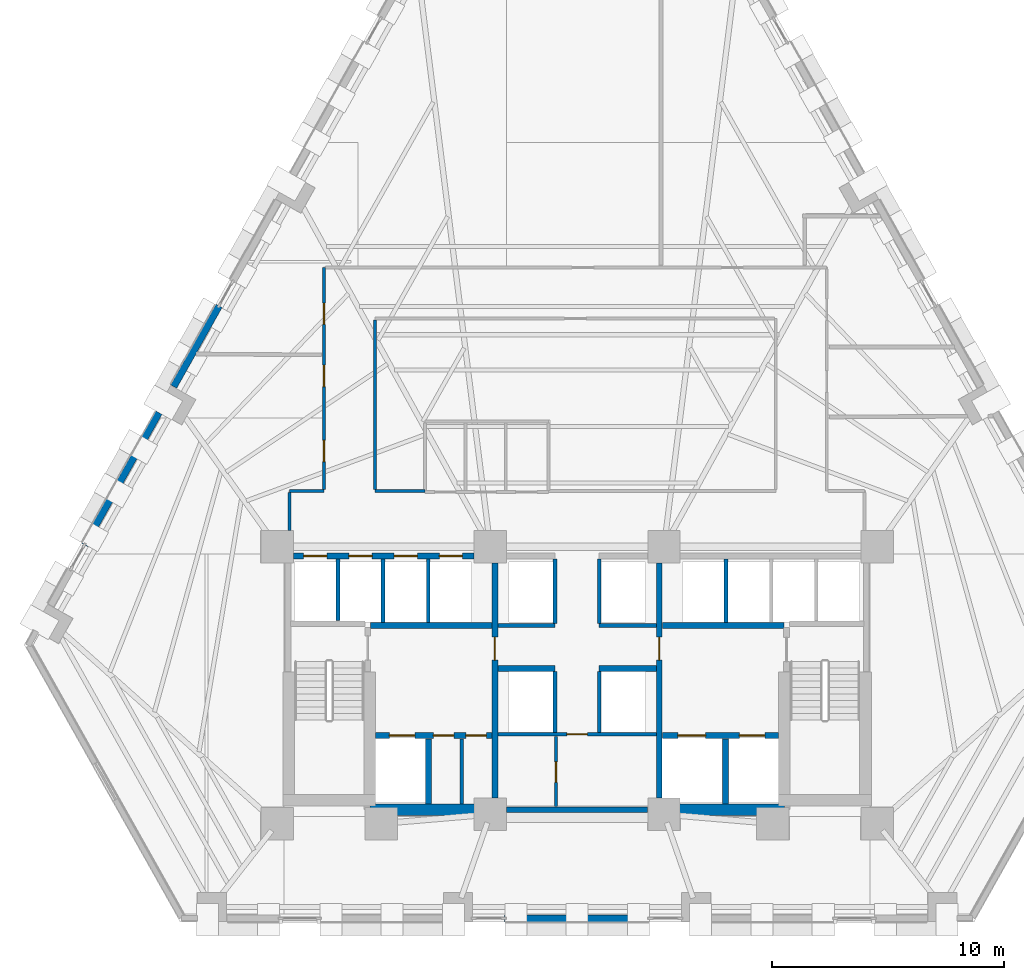
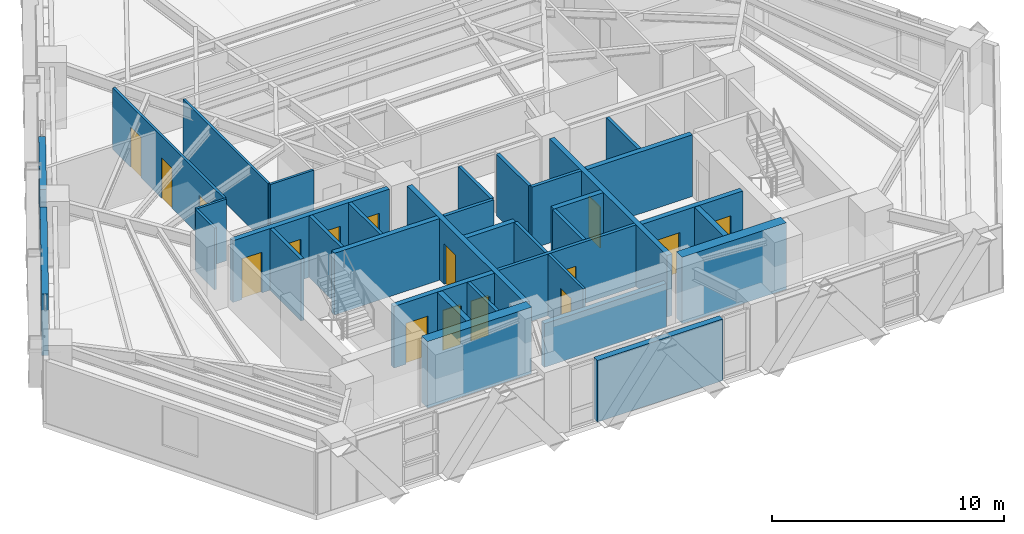
# One storey, part 7 of 13: 35 walls, 16 doors, 16 openings.
"""IFC4 building model written with IfcOpenShell, lengths in metres."""

from ifc_helpers import new_model, si_unit, direction, frame, frame_2d, origin, place, context, subcontext, project, spatial, rectangle, extrude, material, layer, layer_set, type_object, element, fill, save


model = new_model("IFC4")

# Units and contexts
model_context = context("Model", 3, precision=1e-05, world=origin(), true_north=direction((0.0, 1.0)))
body_context = subcontext(model_context, "Body", "Model", "MODEL_VIEW")
ifc_project = project(units=[si_unit("LENGTHUNIT", "METRE"), si_unit("AREAUNIT", "SQUARE_METRE"), si_unit("VOLUMEUNIT", "CUBIC_METRE"), si_unit("PLANEANGLEUNIT", "RADIAN"), si_unit("MASSUNIT", "GRAM", prefix="KILO")], contexts=[model_context])

# Site, building, storey
site_placement = place(None, origin())
site = spatial("IfcSite", under=ifc_project, at=site_placement, CompositionType="ELEMENT")
building_placement = place(site_placement, origin())
building = spatial("IfcBuilding", under=site, at=building_placement, Name="Quenlor Broadcast Tower", CompositionType="ELEMENT")
storey_placement = place(building_placement, frame((0.0, 0.0, 45.10009765625)))
storey = spatial("IfcBuildingStorey", under=building, at=storey_placement, Name="L11", CompositionType="ELEMENT", Elevation=45.10009765625)

# Walls
ifc_material_1 = material(Name="Concrete C65/80", Category="concrete")
ifc_layer_1 = layer(ifc_material_1, 0.5)
ifc_layer_set_1 = layer_set([ifc_layer_1], Name="Core Concrete C65/80 Shear Wall 500")
wall_type_1 = type_object("IfcWallType", Name="Core Concrete C65/80 Shear Wall 500", PredefinedType="SHEAR", material=ifc_layer_set_1)
for number, where, z_axis, x_axis, name in (
    (1, (-8.949951171875, -16.14990234375, 0.0), (0.0, 0.0, 1.0), (1.0, 0.0, 0.0), "L11 Core Shear Wall WS-W2"),
    (2, (3.75, -16.14990234375, 0.0), (0.0, 0.0, 1.0), (1.0, 0.0, 0.0), "L11 Core Shear Wall WS-E1"),
):
    element("IfcWall", number, at=place(storey_placement, frame(where, z_axis=z_axis, x_axis=x_axis)), inside=storey, type_object=wall_type_1, Name=name, PredefinedType="SHEAR", context=body_context, shape_type="SweptSolid", body=[
        extrude(rectangle(XDim=5.199951171875, YDim=0.5, at=frame_2d((2.60009765625, 0.0))), origin(), (0.0, 0.0, 1.0), 3.5),
    ])

# Wall, openings, doors
ifc_material_2 = material(Name="Concrete C40/50", Category="concrete")
ifc_layer_2 = layer(ifc_material_2, 0.25)
ifc_layer_set_2 = layer_set([ifc_layer_2], Name="Fire Rated Concrete C40/50 Core Wall 250")
wall_type_2 = type_object("IfcWallType", Name="Fire Rated Concrete C40/50 Core Wall 250", PredefinedType="PARTITIONING", material=ifc_layer_set_2)
wall_1_placement = place(storey_placement, frame((-8.697998046875, -12.949951171875, 0.0), z_axis=(0.0, 0.0, 1.0), x_axis=(1.0, 0.0, 0.0)))
wall_1 = element("IfcWall", 3, at=wall_1_placement, inside=storey, type_object=wall_type_2, Name="L11 Interior Wall CW-FFW-S", PredefinedType="PARTITIONING", context=body_context, shape_type="SweptSolid", body=[
    extrude(rectangle(XDim=5.01806640625, YDim=0.25, at=frame_2d((2.509033203125, 0.0))), origin(), (0.0, 0.0, 1.0), 3.25),
])
opening_1_placement = place(wall_1_placement, frame((0.597900390625, 0.0, 0.0)))
opening_1 = element("IfcOpeningElement", 4, at=opening_1_placement, cuts=wall_1, Name="Opening LD-FFL-1", PredefinedType="OPENING", context=body_context, shape_type="SweptSolid", body=[
    extrude(rectangle(XDim=1.10009765625, YDim=2.14990234375, at=frame_2d((0.550048828125, 1.074951171875))), frame((0.0, 0.135009765625, 0.0), z_axis=(0.0, -1.0, 0.0), x_axis=(1.0, 0.0, 0.0)), (0.0, 0.0, 1.0), 0.27001953125),
])
opening_2_placement = place(wall_1_placement, frame((2.498046875, 0.0, 0.0)))
opening_2 = element("IfcOpeningElement", 5, at=opening_2_placement, cuts=wall_1, Name="Opening TD-1", PredefinedType="OPENING", context=body_context, shape_type="SweptSolid", body=[
    extrude(rectangle(XDim=0.8798828125, YDim=2.10009765625, at=frame_2d((0.43994140625, 1.050048828125))), frame((0.0, 0.135009765625, 0.0), z_axis=(0.0, -1.0, 0.0), x_axis=(1.0, 0.0, 0.0)), (0.0, 0.0, 1.0), 0.27001953125),
])
opening_3_placement = place(wall_1_placement, frame((3.89794921875, 0.0, 0.0)))
opening_3 = element("IfcOpeningElement", 6, at=opening_3_placement, cuts=wall_1, Name="Opening TD-1", PredefinedType="OPENING", context=body_context, shape_type="SweptSolid", body=[
    extrude(rectangle(XDim=0.8798828125, YDim=2.10009765625, at=frame_2d((0.43994140625, 1.050048828125))), frame((0.0, 0.135009765625, 0.0), z_axis=(0.0, -1.0, 0.0), x_axis=(1.0, 0.0, 0.0)), (0.0, 0.0, 1.0), 0.27001953125),
])
ifc_material_3 = material(Name="Brushed Stainless Steel", Category="steel")
door_type_1 = type_object("IfcDoorType", Name="Emergency Lift Sliding Landing Door 1100x2150", OperationType="NOTDEFINED", PredefinedType="DOOR", material=ifc_material_3)
door_1_placement = place(opening_1_placement, origin())
door_1 = element("IfcDoor", 7, at=door_1_placement, inside=storey, type_object=door_type_1, Name="L11 Door LD-FFL-1", OperationType="SLIDING_TO_LEFT", OverallHeight=2.14990234375, OverallWidth=1.10009765625, PredefinedType="DOOR", context=body_context, shape_type="SweptSolid", body=[
    extrude(rectangle(XDim=1.10009765625, YDim=2.14990234375, at=frame_2d((0.550048828125, 1.074951171875))), frame((0.0, 0.02490234375, 0.0), z_axis=(0.0, -1.0, 0.0), x_axis=(1.0, 0.0, 0.0)), (0.0, 0.0, 1.0), 0.050048828125),
])
fill(opening_1, door_1)
ifc_material_4 = material(Name="Fire Rated Steel Access Panel", Category="steel")
door_type_2 = type_object("IfcDoorType", Name="Riser Shaft Rated Access Trapdoor 880x2100", OperationType="NOTDEFINED", PredefinedType="TRAPDOOR", material=ifc_material_4)
door_2_placement = place(opening_2_placement, origin())
door_2 = element("IfcDoor", 8, at=door_2_placement, inside=storey, type_object=door_type_2, Name="L11 Door DR-ELR", OperationType="SINGLE_SWING_LEFT", OverallHeight=2.10009765625, OverallWidth=0.8798828125, PredefinedType="TRAPDOOR", context=body_context, shape_type="SweptSolid", body=[
    extrude(rectangle(XDim=0.8798828125, YDim=2.10009765625, at=frame_2d((0.43994140625, 1.050048828125))), frame((0.0, 0.02490234375, 0.0), z_axis=(0.0, -1.0, 0.0), x_axis=(1.0, 0.0, 0.0)), (0.0, 0.0, 1.0), 0.050048828125),
])
fill(opening_2, door_2)
door_3_placement = place(opening_3_placement, origin())
door_3 = element("IfcDoor", 9, at=door_3_placement, inside=storey, type_object=door_type_2, Name="L11 Door DR-CMR", OperationType="SINGLE_SWING_RIGHT", OverallHeight=2.10009765625, OverallWidth=0.8798828125, PredefinedType="TRAPDOOR", context=body_context, shape_type="SweptSolid", body=[
    extrude(rectangle(XDim=0.8798828125, YDim=2.10009765625, at=frame_2d((0.43994140625, 1.050048828125))), frame((0.0, 0.02490234375, 0.0), z_axis=(0.0, -1.0, 0.0), x_axis=(1.0, 0.0, 0.0)), (0.0, 0.0, 1.0), 0.050048828125),
])
fill(opening_3, door_3)

wall_2_placement = place(storey_placement, frame((3.679931640625, -12.949951171875, 0.0), z_axis=(0.0, 0.0, 1.0), x_axis=(1.0, 0.0, 0.0)))
wall_2 = element("IfcWall", 10, at=wall_2_placement, inside=storey, type_object=wall_type_2, Name="L11 Interior Wall CW-FFE-S", PredefinedType="PARTITIONING", context=body_context, shape_type="SweptSolid", body=[
    extrude(rectangle(XDim=5.01806640625, YDim=0.25, at=frame_2d((2.509033203125, 0.0))), origin(), (0.0, 0.0, 1.0), 3.25),
])
opening_4_placement = place(wall_2_placement, frame((3.320068359375, 0.0, 0.0)))
opening_4 = element("IfcOpeningElement", 11, at=opening_4_placement, cuts=wall_2, Name="Opening LD-FFL-2", PredefinedType="OPENING", context=body_context, shape_type="SweptSolid", body=[
    extrude(rectangle(XDim=1.10009765625, YDim=2.14990234375, at=frame_2d((0.550048828125, 1.074951171875))), frame((0.0, 0.135009765625, 0.0), z_axis=(0.0, -1.0, 0.0), x_axis=(1.0, 0.0, 0.0)), (0.0, 0.0, 1.0), 0.27001953125),
])
opening_5_placement = place(wall_2_placement, frame((0.669921875, 0.0, 0.0)))
opening_5 = element("IfcOpeningElement", 12, at=opening_5_placement, cuts=wall_2, Name="Opening LD-SVL-1", PredefinedType="OPENING", context=body_context, shape_type="SweptSolid", body=[
    extrude(rectangle(XDim=1.199951171875, YDim=2.14990234375, at=frame_2d((0.60009765625, 1.074951171875))), frame((0.0, 0.135009765625, 0.0), z_axis=(0.0, -1.0, 0.0), x_axis=(1.0, 0.0, 0.0)), (0.0, 0.0, 1.0), 0.27001953125),
])
door_4_placement = place(opening_4_placement, origin())
door_4 = element("IfcDoor", 13, at=door_4_placement, inside=storey, type_object=door_type_1, Name="L11 Door LD-FFL-2", OperationType="SLIDING_TO_RIGHT", OverallHeight=2.14990234375, OverallWidth=1.10009765625, PredefinedType="DOOR", context=body_context, shape_type="SweptSolid", body=[
    extrude(rectangle(XDim=1.10009765625, YDim=2.14990234375, at=frame_2d((0.550048828125, 1.074951171875))), frame((0.0, 0.02490234375, 0.0), z_axis=(0.0, -1.0, 0.0), x_axis=(1.0, 0.0, 0.0)), (0.0, 0.0, 1.0), 0.050048828125),
])
fill(opening_4, door_4)
ifc_material_5 = material(Name="Brushed Stainless Steel", Category="steel")
door_type_3 = type_object("IfcDoorType", Name="Goods Lift Sliding Landing Door 1200x2150", OperationType="NOTDEFINED", PredefinedType="DOOR", material=ifc_material_5)
door_5_placement = place(opening_5_placement, origin())
door_5 = element("IfcDoor", 14, at=door_5_placement, inside=storey, type_object=door_type_3, Name="L11 Door LD-SVL-1", OperationType="SLIDING_TO_LEFT", OverallHeight=2.14990234375, OverallWidth=1.199951171875, PredefinedType="DOOR", context=body_context, shape_type="SweptSolid", body=[
    extrude(rectangle(XDim=1.199951171875, YDim=2.14990234375, at=frame_2d((0.60009765625, 1.074951171875))), frame((0.0, 0.02490234375, 0.0), z_axis=(0.0, -1.0, 0.0), x_axis=(1.0, 0.0, 0.0)), (0.0, 0.0, 1.0), 0.050048828125),
])
fill(opening_5, door_5)

# Walls
for number, where, z_axis, x_axis, name in (
    (15, (-6.419921875, -15.89794921875, 0.0), (0.0, 0.0, 1.0), (0.0, 1.0, 0.0), "L11 Interior Wall CW-FF1-E"),
    (16, (6.39990234375, -15.89794921875, 0.0), (0.0, 0.0, 1.0), (0.0, 1.0, 0.0), "L11 Interior Wall CW-SV1-E"),
):
    element("IfcWall", number, at=place(storey_placement, frame(where, z_axis=z_axis, x_axis=x_axis)), inside=storey, type_object=wall_type_2, Name=name, PredefinedType="PARTITIONING", context=body_context, shape_type="SweptSolid", body=[
        extrude(rectangle(XDim=2.807861328125, YDim=0.25, at=frame_2d((1.40380859375, 0.0))), origin(), (0.0, 0.0, 1.0), 3.25),
    ])
for number, where, z_axis, x_axis, name in (
    (17, (-8.919921875, -8.199951171875, 0.0), (0.0, 0.0, 1.0), (1.0, 0.0, 0.0), "L11 Interior Wall CW-FFW-N"),
    (18, (3.679931640625, -8.199951171875, 0.0), (0.0, 0.0, 1.0), (1.0, 0.0, 0.0), "L11 Interior Wall CW-FFE-N"),
):
    element("IfcWall", number, at=place(storey_placement, frame(where, z_axis=z_axis, x_axis=x_axis)), inside=storey, type_object=wall_type_2, Name=name, PredefinedType="PARTITIONING", context=body_context, shape_type="SweptSolid", body=[
        extrude(rectangle(XDim=5.239990234375, YDim=0.25, at=frame_2d((2.6201171875, 0.0))), origin(), (0.0, 0.0, 1.0), 3.25),
    ])

# Wall, opening, door
wall_3_placement = place(storey_placement, frame((-3.550048828125, -15.64794921875, 0.0), z_axis=(0.0, 0.0, 1.0), x_axis=(0.0, 1.0, 0.0)))
wall_3 = element("IfcWall", 19, at=wall_3_placement, inside=storey, type_object=wall_type_2, Name="L11 Interior Wall CW-FFW-E", PredefinedType="PARTITIONING", context=body_context, shape_type="SweptSolid", body=[
    extrude(rectangle(XDim=10.14599609375, YDim=0.25, at=frame_2d((5.072998046875, 0.0))), origin(), (0.0, 0.0, 1.0), 3.25),
])
opening_6_placement = place(wall_3_placement, frame((5.947998046875, 0.0, 0.0)))
opening_6 = element("IfcOpeningElement", 20, at=opening_6_placement, cuts=wall_3, Name="Opening FD-2", PredefinedType="OPENING", context=body_context, shape_type="SweptSolid", body=[
    extrude(rectangle(XDim=1.0, YDim=2.14990234375, at=frame_2d((0.5, 1.074951171875))), frame((0.0, 0.135009765625, 0.0), z_axis=(0.0, -1.0, 0.0), x_axis=(1.0, 0.0, 0.0)), (0.0, 0.0, 1.0), 0.27001953125),
])
ifc_material_6 = material(Name="Fire Rated Glazed Steel Door", Category="steel")
door_type_4 = type_object("IfcDoorType", Name="Firefighting Lobby Smoke Door 1000x2150", OperationType="NOTDEFINED", PredefinedType="DOOR", material=ifc_material_6)
door_6_placement = place(opening_6_placement, origin())
door_6 = element("IfcDoor", 21, at=door_6_placement, inside=storey, type_object=door_type_4, Name="L11 Door DR-FFLW", OperationType="SINGLE_SWING_RIGHT", OverallHeight=2.14990234375, OverallWidth=1.0, PredefinedType="DOOR", context=body_context, shape_type="SweptSolid", body=[
    extrude(rectangle(XDim=1.0, YDim=2.14990234375, at=frame_2d((0.5, 1.074951171875))), frame((0.0, 0.02490234375, 0.0), z_axis=(0.0, -1.0, 0.0), x_axis=(1.0, 0.0, 0.0)), (0.0, 0.0, 1.0), 0.050048828125),
])
fill(opening_6, door_6)

wall_4_placement = place(storey_placement, frame((3.550048828125, -15.64794921875, 0.0), z_axis=(0.0, 0.0, 1.0), x_axis=(0.0, 1.0, 0.0)))
wall_4 = element("IfcWall", 22, at=wall_4_placement, inside=storey, type_object=wall_type_2, Name="L11 Interior Wall CW-FFE-W", PredefinedType="PARTITIONING", context=body_context, shape_type="SweptSolid", body=[
    extrude(rectangle(XDim=10.14599609375, YDim=0.25, at=frame_2d((5.072998046875, 0.0))), origin(), (0.0, 0.0, 1.0), 3.25),
])
opening_7_placement = place(wall_4_placement, frame((5.947998046875, 0.0, 0.0)))
opening_7 = element("IfcOpeningElement", 23, at=opening_7_placement, cuts=wall_4, Name="Opening FD-2", PredefinedType="OPENING", context=body_context, shape_type="SweptSolid", body=[
    extrude(rectangle(XDim=1.0, YDim=2.14990234375, at=frame_2d((0.5, 1.074951171875))), frame((0.0, 0.135009765625, 0.0), z_axis=(0.0, -1.0, 0.0), x_axis=(1.0, 0.0, 0.0)), (0.0, 0.0, 1.0), 0.27001953125),
])
door_7_placement = place(opening_7_placement, origin())
door_7 = element("IfcDoor", 24, at=door_7_placement, inside=storey, type_object=door_type_4, Name="L11 Door DR-FFLE", OperationType="SINGLE_SWING_LEFT", OverallHeight=2.14990234375, OverallWidth=1.0, PredefinedType="DOOR", context=body_context, shape_type="SweptSolid", body=[
    extrude(rectangle(XDim=1.0, YDim=2.14990234375, at=frame_2d((0.5, 1.074951171875))), frame((0.0, 0.02490234375, 0.0), z_axis=(0.0, -1.0, 0.0), x_axis=(1.0, 0.0, 0.0)), (0.0, 0.0, 1.0), 0.050048828125),
])
fill(opening_7, door_7)

# Wall, openings, doors
wall_5_placement = place(storey_placement, frame((-12.248046875, -5.199951171875, 0.0), z_axis=(0.0, 0.0, 1.0), x_axis=(1.0, 0.0, 0.0)))
wall_5 = element("IfcWall", 25, at=wall_5_placement, inside=storey, type_object=wall_type_2, Name="L11 Interior Wall CW-N-W", PredefinedType="PARTITIONING", context=body_context, shape_type="SweptSolid", body=[
    extrude(rectangle(XDim=7.796142578125, YDim=0.25, at=frame_2d((3.89794921875, 0.0))), origin(), (0.0, 0.0, 1.0), 3.25),
])
opening_8_placement = place(wall_5_placement, frame((0.447998046875, 0.0, 0.0)))
opening_8 = element("IfcOpeningElement", 26, at=opening_8_placement, cuts=wall_5, Name="Opening LD-PL-L1", PredefinedType="OPENING", context=body_context, shape_type="SweptSolid", body=[
    extrude(rectangle(XDim=1.0, YDim=2.14990234375, at=frame_2d((0.5, 1.074951171875))), frame((0.0, 0.135009765625, 0.0), z_axis=(0.0, -1.0, 0.0), x_axis=(1.0, 0.0, 0.0)), (0.0, 0.0, 1.0), 0.27001953125),
])
opening_9_placement = place(wall_5_placement, frame((2.39794921875, 0.0, 0.0)))
opening_9 = element("IfcOpeningElement", 27, at=opening_9_placement, cuts=wall_5, Name="Opening LD-PL-L2", PredefinedType="OPENING", context=body_context, shape_type="SweptSolid", body=[
    extrude(rectangle(XDim=1.0, YDim=2.14990234375, at=frame_2d((0.5, 1.074951171875))), frame((0.0, 0.135009765625, 0.0), z_axis=(0.0, -1.0, 0.0), x_axis=(1.0, 0.0, 0.0)), (0.0, 0.0, 1.0), 0.27001953125),
])
opening_10_placement = place(wall_5_placement, frame((4.347900390625, 0.0, 0.0)))
opening_10 = element("IfcOpeningElement", 28, at=opening_10_placement, cuts=wall_5, Name="Opening LD-PL-L3", PredefinedType="OPENING", context=body_context, shape_type="SweptSolid", body=[
    extrude(rectangle(XDim=1.0, YDim=2.14990234375, at=frame_2d((0.5, 1.074951171875))), frame((0.0, 0.135009765625, 0.0), z_axis=(0.0, -1.0, 0.0), x_axis=(1.0, 0.0, 0.0)), (0.0, 0.0, 1.0), 0.27001953125),
])
opening_11_placement = place(wall_5_placement, frame((6.298095703125, 0.0, 0.0)))
opening_11 = element("IfcOpeningElement", 29, at=opening_11_placement, cuts=wall_5, Name="Opening LD-PL-L4", PredefinedType="OPENING", context=body_context, shape_type="SweptSolid", body=[
    extrude(rectangle(XDim=1.0, YDim=2.14990234375, at=frame_2d((0.5, 1.074951171875))), frame((0.0, 0.135009765625, 0.0), z_axis=(0.0, -1.0, 0.0), x_axis=(1.0, 0.0, 0.0)), (0.0, 0.0, 1.0), 0.27001953125),
])
ifc_material_7 = material(Name="Brushed Stainless Steel", Category="steel")
door_type_5 = type_object("IfcDoorType", Name="Passenger Lift Sliding Landing Door 1000x2150", OperationType="NOTDEFINED", PredefinedType="DOOR", material=ifc_material_7)
door_8_placement = place(opening_8_placement, origin())
door_8 = element("IfcDoor", 30, at=door_8_placement, inside=storey, type_object=door_type_5, Name="L11 Door LD-PL-L1", OperationType="SLIDING_TO_LEFT", OverallHeight=2.14990234375, OverallWidth=1.0, PredefinedType="DOOR", context=body_context, shape_type="SweptSolid", body=[
    extrude(rectangle(XDim=1.0, YDim=2.14990234375, at=frame_2d((0.5, 1.074951171875))), frame((0.0, 0.02490234375, 0.0), z_axis=(0.0, -1.0, 0.0), x_axis=(1.0, 0.0, 0.0)), (0.0, 0.0, 1.0), 0.050048828125),
])
fill(opening_8, door_8)
door_9_placement = place(opening_9_placement, origin())
door_9 = element("IfcDoor", 31, at=door_9_placement, inside=storey, type_object=door_type_5, Name="L11 Door LD-PL-L2", OperationType="SLIDING_TO_LEFT", OverallHeight=2.14990234375, OverallWidth=1.0, PredefinedType="DOOR", context=body_context, shape_type="SweptSolid", body=[
    extrude(rectangle(XDim=1.0, YDim=2.14990234375, at=frame_2d((0.5, 1.074951171875))), frame((0.0, 0.02490234375, 0.0), z_axis=(0.0, -1.0, 0.0), x_axis=(1.0, 0.0, 0.0)), (0.0, 0.0, 1.0), 0.050048828125),
])
fill(opening_9, door_9)
door_10_placement = place(opening_10_placement, origin())
door_10 = element("IfcDoor", 32, at=door_10_placement, inside=storey, type_object=door_type_5, Name="L11 Door LD-PL-L3", OperationType="SLIDING_TO_LEFT", OverallHeight=2.14990234375, OverallWidth=1.0, PredefinedType="DOOR", context=body_context, shape_type="SweptSolid", body=[
    extrude(rectangle(XDim=1.0, YDim=2.14990234375, at=frame_2d((0.5, 1.074951171875))), frame((0.0, 0.02490234375, 0.0), z_axis=(0.0, -1.0, 0.0), x_axis=(1.0, 0.0, 0.0)), (0.0, 0.0, 1.0), 0.050048828125),
])
fill(opening_10, door_10)
door_11_placement = place(opening_11_placement, origin())
door_11 = element("IfcDoor", 33, at=door_11_placement, inside=storey, type_object=door_type_5, Name="L11 Door LD-PL-L4", OperationType="SLIDING_TO_LEFT", OverallHeight=2.14990234375, OverallWidth=1.0, PredefinedType="DOOR", context=body_context, shape_type="SweptSolid", body=[
    extrude(rectangle(XDim=1.0, YDim=2.14990234375, at=frame_2d((0.5, 1.074951171875))), frame((0.0, 0.02490234375, 0.0), z_axis=(0.0, -1.0, 0.0), x_axis=(1.0, 0.0, 0.0)), (0.0, 0.0, 1.0), 0.050048828125),
])
fill(opening_11, door_11)

# Walls
wall_6_placement = place(storey_placement, frame((-3.048095703125, -16.14990234375, 0.0), z_axis=(0.0, 0.0, 1.0), x_axis=(1.0, 0.0, 0.0)))
element("IfcWall", 34, at=wall_6_placement, inside=storey, type_object=wall_type_2, Name="L11 Interior Wall CW-MS-S", PredefinedType="PARTITIONING", context=body_context, shape_type="SweptSolid", body=[
    extrude(rectangle(XDim=6.09619140625, YDim=0.25, at=frame_2d((3.048095703125, 0.0))), origin(), (0.0, 0.0, 1.0), 2.2998046875),
])
for number, where, z_axis, x_axis, name in (
    (35, (-3.419921875, -10.050048828125, 0.0), (0.0, 0.0, 1.0), (1.0, 0.0, 0.0), "L11 Interior Wall CW-MS-N1"),
    (36, (0.949951171875, -10.050048828125, 0.0), (0.0, 0.0, 1.0), (1.0, 0.0, 0.0), "L11 Interior Wall CW-MS-N2"),
):
    element("IfcWall", number, at=place(storey_placement, frame(where, z_axis=z_axis, x_axis=x_axis)), inside=storey, type_object=wall_type_2, Name=name, PredefinedType="PARTITIONING", context=body_context, shape_type="SweptSolid", body=[
        extrude(rectangle(XDim=2.469970703125, YDim=0.25, at=frame_2d((1.23486328125, 0.0))), origin(), (0.0, 0.0, 1.0), 3.25),
    ])
ifc_material_8 = material(Name="Gypsum Fireboard Partition", Category="other")
ifc_layer_3 = layer(ifc_material_8, 0.159912109375)
ifc_layer_set_3 = layer_set([ifc_layer_3], Name="Fire Rated Shaft and Corridor Partition 160")
wall_type_3 = type_object("IfcWallType", Name="Fire Rated Shaft and Corridor Partition 160", PredefinedType="PARTITIONING", material=ifc_layer_set_3)
wall_7_placement = place(storey_placement, frame((-4.97998046875, -15.89794921875, 0.0), z_axis=(0.0, 0.0, 1.0), x_axis=(0.0, 1.0, 0.0)))
element("IfcWall", 37, at=wall_7_placement, inside=storey, type_object=wall_type_3, Name="L11 Interior Wall CW-ELR-E", PredefinedType="PARTITIONING", context=body_context, shape_type="SweptSolid", body=[
    extrude(rectangle(XDim=2.807861328125, YDim=0.159912109375, at=frame_2d((1.40380859375, 0.0))), origin(), (0.0, 0.0, 1.0), 3.25),
])
wall_8_placement = place(storey_placement, frame((-10.324951171875, -7.992919921875, 0.0), z_axis=(0.0, 0.0, 1.0), x_axis=(0.0, 1.0, 0.0)))
element("IfcWall", 38, at=wall_8_placement, inside=storey, type_object=wall_type_3, Name="L11 Interior Wall CW-PLL-D1", PredefinedType="PARTITIONING", context=body_context, shape_type="SweptSolid", body=[
    extrude(rectangle(XDim=2.65283203125, YDim=0.159912109375, at=frame_2d((1.326416015625, 0.0))), origin(), (0.0, 0.0, 1.0), 3.25),
])
for number, where, z_axis, x_axis, name in (
    (39, (-8.375, -8.072998046875, 0.0), (0.0, 0.0, 1.0), (0.0, 1.0, 0.0), "L11 Interior Wall CW-PLL-D2"),
    (40, (-6.425048828125, -8.072998046875, 0.0), (0.0, 0.0, 1.0), (0.0, 1.0, 0.0), "L11 Interior Wall CW-PLL-D3"),
    (41, (6.425048828125, -8.072998046875, 0.0), (0.0, 0.0, 1.0), (0.0, 1.0, 0.0), "L11 Interior Wall CW-PLH-D1"),
):
    element("IfcWall", number, at=place(storey_placement, frame(where, z_axis=z_axis, x_axis=x_axis)), inside=storey, type_object=wall_type_3, Name=name, PredefinedType="PARTITIONING", context=body_context, shape_type="SweptSolid", body=[
        extrude(rectangle(XDim=2.73291015625, YDim=0.159912109375, at=frame_2d((1.366455078125, 0.0))), origin(), (0.0, 0.0, 1.0), 3.25),
    ])
for number, where, z_axis, x_axis, name in (
    (42, (-0.949951171875, -8.1201171875, 0.0), (0.0, 0.0, 1.0), (0.0, 1.0, 0.0), "L11 Interior Wall CW-CCRP-W"),
    (43, (0.949951171875, -8.1201171875, 0.0), (0.0, 0.0, 1.0), (0.0, 1.0, 0.0), "L11 Interior Wall CW-CCRP-E"),
):
    element("IfcWall", number, at=place(storey_placement, frame(where, z_axis=z_axis, x_axis=x_axis)), inside=storey, type_object=wall_type_3, Name=name, PredefinedType="PARTITIONING", context=body_context, shape_type="SweptSolid", body=[
        extrude(rectangle(XDim=2.780029296875, YDim=0.159912109375, at=frame_2d((1.39013671875, 0.0))), origin(), (0.0, 0.0, 1.0), 3.25),
    ])
for number, where, z_axis, x_axis, name in (
    (44, (-3.419921875, -8.199951171875, 0.0), (0.0, 0.0, 1.0), (1.0, 0.0, 0.0), "L11 Interior Wall CW-M-BACK1"),
    (45, (0.949951171875, -8.199951171875, 0.0), (0.0, 0.0, 1.0), (1.0, 0.0, 0.0), "L11 Interior Wall CW-M-BACK2"),
):
    element("IfcWall", number, at=place(storey_placement, frame(where, z_axis=z_axis, x_axis=x_axis)), inside=storey, type_object=wall_type_3, Name=name, PredefinedType="PARTITIONING", context=body_context, shape_type="SweptSolid", body=[
        extrude(rectangle(XDim=2.469970703125, YDim=0.159912109375, at=frame_2d((1.23486328125, 0.0))), origin(), (0.0, 0.0, 1.0), 3.25),
    ])

# Wall, opening, door
wall_9_placement = place(storey_placement, frame((-3.419921875, -12.89990234375, 0.0), z_axis=(0.0, 0.0, 1.0), x_axis=(1.0, 0.0, 0.0)))
wall_9 = element("IfcWall", 46, at=wall_9_placement, inside=storey, type_object=wall_type_3, Name="L11 Interior Wall CW-MS-B", PredefinedType="PARTITIONING", context=body_context, shape_type="SweptSolid", body=[
    extrude(rectangle(XDim=6.83984375, YDim=0.159912109375, at=frame_2d((3.419921875, 0.0))), origin(), (0.0, 0.0, 1.0), 3.25),
])
opening_12_placement = place(wall_9_placement, frame((2.97998046875, 0.0, 0.0)))
opening_12 = element("IfcOpeningElement", 47, at=opening_12_placement, cuts=wall_9, Name="Opening ID-4", PredefinedType="OPENING", context=body_context, shape_type="SweptSolid", body=[
    extrude(rectangle(XDim=0.8798828125, YDim=2.1201171875, at=frame_2d((0.43994140625, 1.06005859375))), frame((0.0, 0.08984375, 0.0), z_axis=(0.0, -1.0, 0.0), x_axis=(1.0, 0.0, 0.0)), (0.0, 0.0, 1.0), 0.179931640625),
])
ifc_material_9 = material(Name="Solid Core Timber Oak", Category="wood")
door_type_6 = type_object("IfcDoorType", Name="Service Closet Timber Door 880x2120", OperationType="NOTDEFINED", PredefinedType="DOOR", material=ifc_material_9)
door_12_placement = place(opening_12_placement, origin())
door_12 = element("IfcDoor", 48, at=door_12_placement, inside=storey, type_object=door_type_6, Name="L11 Door DR-CSV0", OperationType="SINGLE_SWING_LEFT", OverallHeight=2.1201171875, OverallWidth=0.8798828125, PredefinedType="DOOR", context=body_context, shape_type="SweptSolid", body=[
    extrude(rectangle(XDim=0.8798828125, YDim=2.1201171875, at=frame_2d((0.43994140625, 1.06005859375))), frame((0.0, 0.02490234375, 0.0), z_axis=(0.0, -1.0, 0.0), x_axis=(1.0, 0.0, 0.0)), (0.0, 0.0, 1.0), 0.050048828125),
])
fill(opening_12, door_12)

# Walls
for number, where, z_axis, x_axis, name in (
    (49, (-0.949951171875, -12.818115234375, 0.0), (0.0, 0.0, 1.0), (0.0, 1.0, 0.0), "L11 Interior Wall CW-MS-W"),
    (50, (0.949951171875, -12.818115234375, 0.0), (0.0, 0.0, 1.0), (0.0, 1.0, 0.0), "L11 Interior Wall CW-MS-E"),
):
    element("IfcWall", number, at=place(storey_placement, frame(where, z_axis=z_axis, x_axis=x_axis)), inside=storey, type_object=wall_type_3, Name=name, PredefinedType="PARTITIONING", context=body_context, shape_type="SweptSolid", body=[
        extrude(rectangle(XDim=2.63818359375, YDim=0.159912109375, at=frame_2d((1.319091796875, 0.0))), origin(), (0.0, 0.0, 1.0), 3.25),
    ])

# Wall, opening, door
ifc_material_10 = material(Name="Gypsum Plasterboard Partition", Category="other")
ifc_layer_4 = layer(ifc_material_10, 0.1201171875)
ifc_layer_set_4 = layer_set([ifc_layer_4], Name="Standard Office Partition 120")
wall_type_4 = type_object("IfcWallType", Name="Standard Office Partition 120", PredefinedType="PARTITIONING", material=ifc_layer_set_4)
wall_10_placement = place(storey_placement, frame((-0.909912109375, -16.02001953125, 0.0), z_axis=(0.0, 0.0, 1.0), x_axis=(0.0, 1.0, 0.0)))
wall_10 = element("IfcWall", 51, at=wall_10_placement, inside=storey, type_object=wall_type_4, Name="L11 Interior Wall CW-CSV-W1", PredefinedType="PARTITIONING", context=body_context, shape_type="SweptSolid", body=[
    extrude(rectangle(XDim=3.0380859375, YDim=0.1201171875, at=frame_2d((1.51904296875, 0.0))), origin(), (0.0, 0.0, 1.0), 3.25),
])
opening_13_placement = place(wall_10_placement, frame((1.050048828125, 0.0, 0.0)))
opening_13 = element("IfcOpeningElement", 52, at=opening_13_placement, cuts=wall_10, Name="Opening ID-4", PredefinedType="OPENING", context=body_context, shape_type="SweptSolid", body=[
    extrude(rectangle(XDim=0.8798828125, YDim=2.1201171875, at=frame_2d((0.43994140625, 1.06005859375))), frame((0.0, 0.070068359375, 0.0), z_axis=(0.0, -1.0, 0.0), x_axis=(1.0, 0.0, 0.0)), (0.0, 0.0, 1.0), 0.14013671875),
])
door_13_placement = place(opening_13_placement, origin())
door_13 = element("IfcDoor", 53, at=door_13_placement, inside=storey, type_object=door_type_6, Name="L11 Door DR-CSV1", OperationType="SINGLE_SWING_LEFT", OverallHeight=2.1201171875, OverallWidth=0.8798828125, PredefinedType="DOOR", context=body_context, shape_type="SweptSolid", body=[
    extrude(rectangle(XDim=0.8798828125, YDim=2.1201171875, at=frame_2d((0.43994140625, 1.06005859375))), frame((0.0, 0.02490234375, 0.0), z_axis=(0.0, -1.0, 0.0), x_axis=(1.0, 0.0, 0.0)), (0.0, 0.0, 1.0), 0.050048828125),
])
fill(opening_13, door_13)

# Wall
wall_11_placement = place(storey_placement, frame((-12.409912109375, -2.39990234375, 0.0), z_axis=(0.0, 0.0, 1.0), x_axis=(1.0, 0.0, 0.0)))
element("IfcWall", 54, at=wall_11_placement, inside=storey, type_object=wall_type_4, Name="L11 Interior Wall PW-CR-01", PredefinedType="PARTITIONING", context=body_context, shape_type="SweptSolid", body=[
    extrude(rectangle(XDim=1.48486328125, YDim=0.1201171875, at=frame_2d((0.742431640625, 0.0))), origin(), (0.0, 0.0, 1.0), 3.25),
])

# Wall, openings, doors
wall_12_placement = place(storey_placement, frame((-10.925048828125, -2.337890625, 0.0), z_axis=(0.0, 0.0, 1.0), x_axis=(0.0, 1.0, 0.0)))
wall_12 = element("IfcWall", 55, at=wall_12_placement, inside=storey, type_object=wall_type_4, Name="L11 Interior Wall PW-CR-02", PredefinedType="PARTITIONING", context=body_context, shape_type="SweptSolid", body=[
    extrude(rectangle(XDim=9.587890625, YDim=0.1201171875, at=frame_2d((4.7939453125, 0.0))), origin(), (0.0, 0.0, 1.0), 3.25),
])
opening_14_placement = place(wall_12_placement, frame((7.134033203125, 0.0, 0.0)))
opening_14 = element("IfcOpeningElement", 56, at=opening_14_placement, cuts=wall_12, Name="Opening ID-1", PredefinedType="OPENING", context=body_context, shape_type="SweptSolid", body=[
    extrude(rectangle(XDim=0.919921875, YDim=2.1201171875, at=frame_2d((0.4599609375, 1.06005859375))), frame((0.0, 0.070068359375, 0.0), z_axis=(0.0, -1.0, 0.0), x_axis=(1.0, 0.0, 0.0)), (0.0, 0.0, 1.0), 0.14013671875),
])
opening_15_placement = place(wall_12_placement, frame((4.452880859375, 0.0, 0.0)))
opening_15 = element("IfcOpeningElement", 57, at=opening_15_placement, cuts=wall_12, Name="Opening ID-1", PredefinedType="OPENING", context=body_context, shape_type="SweptSolid", body=[
    extrude(rectangle(XDim=0.919921875, YDim=2.1201171875, at=frame_2d((0.4599609375, 1.06005859375))), frame((0.0, 0.070068359375, 0.0), z_axis=(0.0, -1.0, 0.0), x_axis=(1.0, 0.0, 0.0)), (0.0, 0.0, 1.0), 0.14013671875),
])
opening_16_placement = place(wall_12_placement, frame((1.20703125, 0.0, 0.0)))
opening_16 = element("IfcOpeningElement", 58, at=opening_16_placement, cuts=wall_12, Name="Opening ID-1", PredefinedType="OPENING", context=body_context, shape_type="SweptSolid", body=[
    extrude(rectangle(XDim=0.919921875, YDim=2.1201171875, at=frame_2d((0.4599609375, 1.06005859375))), frame((0.0, 0.070068359375, 0.0), z_axis=(0.0, -1.0, 0.0), x_axis=(1.0, 0.0, 0.0)), (0.0, 0.0, 1.0), 0.14013671875),
])
ifc_material_11 = material(Name="Solid Core Timber Oak", Category="wood")
door_type_7 = type_object("IfcDoorType", Name="Single Leaf Timber Office Door 920x2120", OperationType="NOTDEFINED", PredefinedType="DOOR", material=ifc_material_11)
door_14_placement = place(opening_14_placement, origin())
door_14 = element("IfcDoor", 59, at=door_14_placement, inside=storey, type_object=door_type_7, Name="L11 Door DR-RM03", OperationType="SINGLE_SWING_RIGHT", OverallHeight=2.1201171875, OverallWidth=0.919921875, PredefinedType="DOOR", context=body_context, shape_type="SweptSolid", body=[
    extrude(rectangle(XDim=0.919921875, YDim=2.1201171875, at=frame_2d((0.4599609375, 1.06005859375))), frame((0.0, 0.02490234375, 0.0), z_axis=(0.0, -1.0, 0.0), x_axis=(1.0, 0.0, 0.0)), (0.0, 0.0, 1.0), 0.050048828125),
])
fill(opening_14, door_14)
door_15_placement = place(opening_15_placement, origin())
door_15 = element("IfcDoor", 60, at=door_15_placement, inside=storey, type_object=door_type_7, Name="L11 Door DR-RM05", OperationType="SINGLE_SWING_RIGHT", OverallHeight=2.1201171875, OverallWidth=0.919921875, PredefinedType="DOOR", context=body_context, shape_type="SweptSolid", body=[
    extrude(rectangle(XDim=0.919921875, YDim=2.1201171875, at=frame_2d((0.4599609375, 1.06005859375))), frame((0.0, 0.02490234375, 0.0), z_axis=(0.0, -1.0, 0.0), x_axis=(1.0, 0.0, 0.0)), (0.0, 0.0, 1.0), 0.050048828125),
])
fill(opening_15, door_15)
door_16_placement = place(opening_16_placement, origin())
door_16 = element("IfcDoor", 61, at=door_16_placement, inside=storey, type_object=door_type_7, Name="L11 Door DR-RM08", OperationType="SINGLE_SWING_LEFT", OverallHeight=2.1201171875, OverallWidth=0.919921875, PredefinedType="DOOR", context=body_context, shape_type="SweptSolid", body=[
    extrude(rectangle(XDim=0.919921875, YDim=2.1201171875, at=frame_2d((0.4599609375, 1.06005859375))), frame((0.0, 0.02490234375, 0.0), z_axis=(0.0, -1.0, 0.0), x_axis=(1.0, 0.0, 0.0)), (0.0, 0.0, 1.0), 0.050048828125),
])
fill(opening_16, door_16)

# Walls
wall_13_placement = place(storey_placement, frame((-12.409912109375, -4.097900390625, 0.0), z_axis=(0.0, 0.0, 1.0), x_axis=(0.0, 1.0, 0.0)))
element("IfcWall", 62, at=wall_13_placement, inside=storey, type_object=wall_type_4, Name="L11 Interior Wall PW-CR-07", PredefinedType="PARTITIONING", context=body_context, shape_type="SweptSolid", body=[
    extrude(rectangle(XDim=1.635986328125, YDim=0.1201171875, at=frame_2d((0.81787109375, 0.0))), origin(), (0.0, 0.0, 1.0), 3.25),
])
wall_14_placement = place(storey_placement, frame((-8.72509765625, -2.39990234375, 0.0), z_axis=(0.0, 0.0, 1.0), x_axis=(1.0, 0.0, 0.0)))
element("IfcWall", 63, at=wall_14_placement, inside=storey, type_object=wall_type_4, Name="L11 Interior Wall PW-CR-08", PredefinedType="PARTITIONING", context=body_context, shape_type="SweptSolid", body=[
    extrude(rectangle(XDim=2.1630859375, YDim=0.1201171875, at=frame_2d((1.08154296875, 0.0))), origin(), (0.0, 0.0, 1.0), 3.25),
])
wall_15_placement = place(storey_placement, frame((-8.72509765625, 4.988037109375, 0.0), z_axis=(0.0, 0.0, 1.0), x_axis=(0.0, -1.0, 0.0)))
element("IfcWall", 64, at=wall_15_placement, inside=storey, type_object=wall_type_4, Name="L11 Interior Wall PW-CR-11", PredefinedType="PARTITIONING", context=body_context, shape_type="SweptSolid", body=[
    extrude(rectangle(XDim=7.325927734375, YDim=0.1201171875, at=frame_2d((3.6630859375, 0.0))), origin(), (0.0, 0.0, 1.0), 3.25),
])
ifc_material_12 = material(Name="Precast concrete C40/50", Category="concrete")
ifc_layer_5 = layer(ifc_material_12, 0.300048828125)
ifc_layer_set_5 = layer_set([ifc_layer_5], Name="Terracotta Precast Concrete C40/50 Spandrel Wall 300")
wall_type_5 = type_object("IfcWallType", Name="Terracotta Precast Concrete C40/50 Spandrel Wall 300", PredefinedType="STANDARD", material=ifc_layer_set_5)
wall_16_placement = place(storey_placement, frame((3.126220703125, -20.840087890625, 0.0), z_axis=(0.0, 0.0, 1.0), x_axis=(-1.0, 0.0, 0.0)))
element("IfcWall", 65, at=wall_16_placement, inside=storey, type_object=wall_type_5, Name="L11 Exterior Wall L11-S-SP1", PredefinedType="STANDARD", context=body_context, shape_type="SweptSolid", body=[
    extrude(rectangle(XDim=6.25244140625, YDim=0.300048828125, at=frame_2d((3.126220703125, 0.0))), origin(), (0.0, 0.0, 1.0), 3.25),
])
wall_17_placement = place(storey_placement, frame((-21.258056640625, -4.718505859375, 0.0), z_axis=(0.0, 0.0, 1.0), x_axis=(0.490254155105, 0.871579522133, 0.0)))
element("IfcWall", 66, at=wall_17_placement, inside=storey, type_object=wall_type_5, Name="L11 Exterior Wall L11-NWA-SP2", PredefinedType="STANDARD", context=body_context, shape_type="SweptSolid", body=[
    extrude(rectangle(XDim=6.544677734375, YDim=0.300048828125, at=frame_2d((3.2724609375, 0.0))), origin(), (0.0, 0.0, 1.0), 3.25),
])
wall_18_placement = place(storey_placement, frame((-17.414794921875, 2.1142578125, 0.0), z_axis=(0.0, 0.0, 1.0), x_axis=(0.490275749717, 0.871567375043, 0.0)))
element("IfcWall", 67, at=wall_18_placement, inside=storey, type_object=wall_type_5, Name="L11 Exterior Wall L11-NW-SP1", PredefinedType="STANDARD", context=body_context, shape_type="SweptSolid", body=[
    extrude(rectangle(XDim=3.994140625, YDim=0.300048828125, at=frame_2d((1.9970703125, 0.0))), origin(), (0.0, 0.0, 1.0), 3.25),
])

save(model, "model.ifc")
